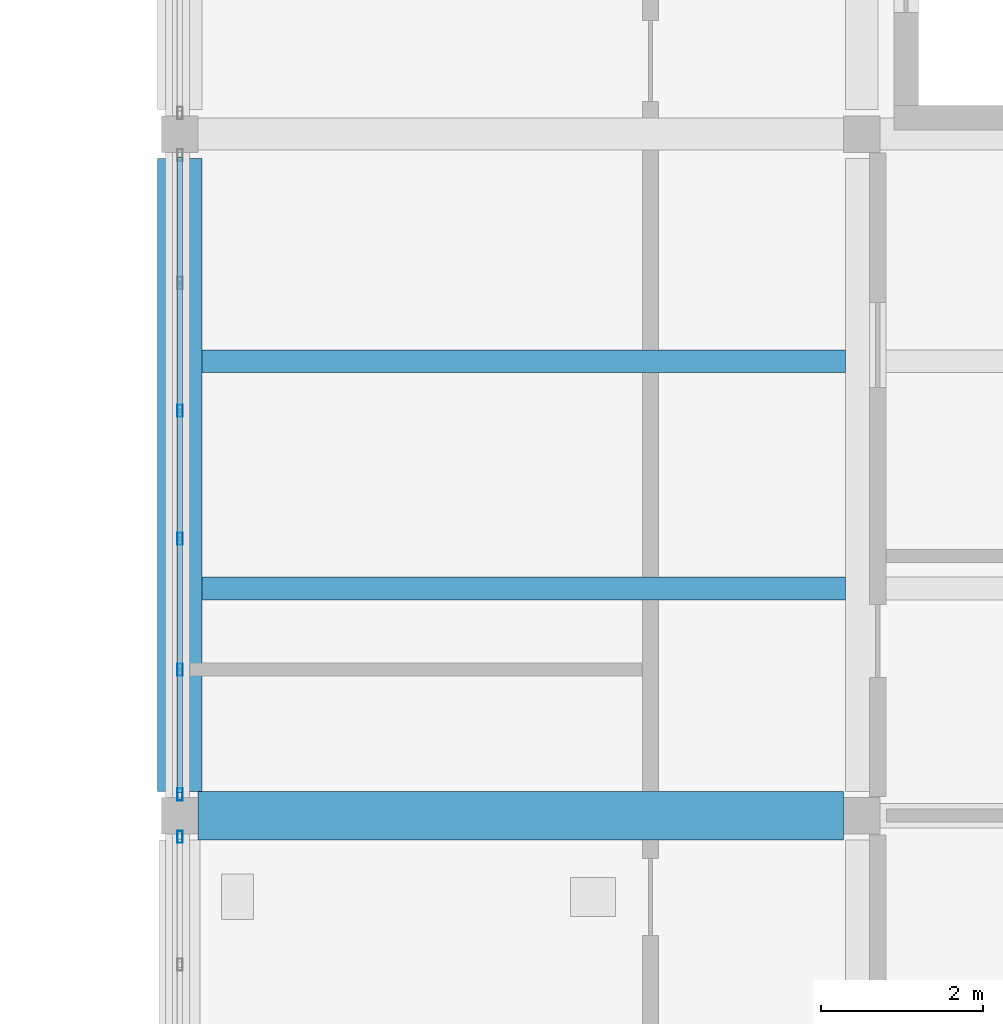
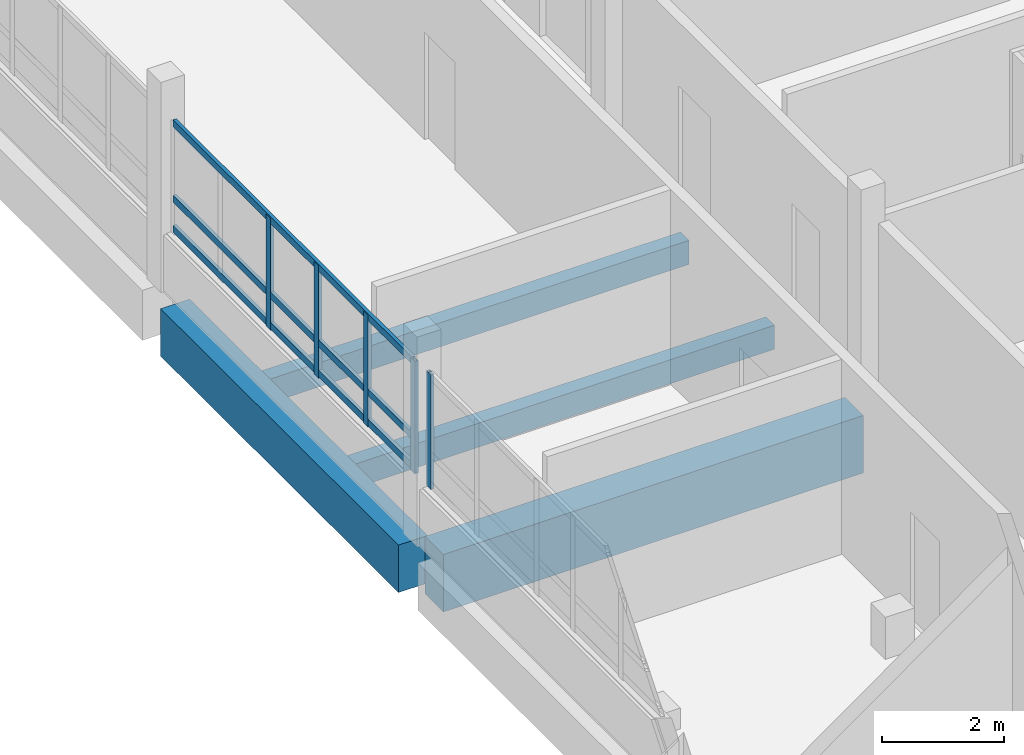
# One storey, part 22 of 62: 8 members, 4 beams, 2 elements without a shape of their own.
"""IFC4 building model written with IfcOpenShell, lengths in metres."""

from ifc_helpers import new_model, si_unit, direction, frame, origin, origin_2d, place, context, subcontext, project, spatial, rectangle, hollow_rectangle, extrude, material, layer, layer_set, material_profile, profile_set, type_object, element, aggregate, save


model = new_model("IFC4")

# Units and contexts
model_context = context("Model", 3, precision=1e-05, world=origin(), true_north=direction((0.0, 1.0)))
body_context = subcontext(model_context, "Body", "Model", "MODEL_VIEW")
ifc_project = project(units=[si_unit("LENGTHUNIT", "METRE"), si_unit("AREAUNIT", "SQUARE_METRE"), si_unit("VOLUMEUNIT", "CUBIC_METRE"), si_unit("PLANEANGLEUNIT", "RADIAN"), si_unit("MASSUNIT", "GRAM", prefix="KILO")], contexts=[model_context])

# Site, building, storey
site_placement = place(None, origin())
site = spatial("IfcSite", under=ifc_project, at=site_placement, CompositionType="ELEMENT")
building_placement = place(site_placement, origin())
building = spatial("IfcBuilding", under=site, at=building_placement, Name="Vireocrest Preparatory School", CompositionType="ELEMENT")
storey_placement = place(building_placement, frame((0.0, 0.0, 17.39990234375)))
storey = spatial("IfcBuildingStorey", under=building, at=storey_placement, Name="L04", CompositionType="ELEMENT", Elevation=17.39990234375)

# Curtain wall, member
ifc_material_1 = material(Name="Thermally broken aluminium EN AW-6063-T6", Category="aluminium")
ifc_layer = layer(ifc_material_1, 0.179931640625)
ifc_layer_set = layer_set([ifc_layer], Name="Thermally broken aluminium EN AW-6063-T6")
curtain_wall_type = type_object("IfcCurtainWallType", Name="Court Banded Curtain Wall 8400x3000", PredefinedType="USERDEFINED", material=ifc_layer_set)
curtain_wall_1_placement = place(storey_placement, origin())
curtain_wall_1 = element("IfcCurtainWall", 1, at=curtain_wall_1_placement, inside=storey, type_object=curtain_wall_type, Name="Curtain Wall CW02 CW_L04_CW02_0924_0608_186", ObjectType="CURTAIN WALL", PredefinedType="USERDEFINED")
ifc_material_profile_1 = material_profile(ifc_material_1, hollow_rectangle(XDim=0.06494140625, YDim=0.14990234375, WallThickness=0.00390625, at=origin_2d()), Name="ALU 65x150x4")
ifc_profile_set_1 = profile_set([ifc_material_profile_1], Name="Thermally broken aluminium EN AW-6063-T6")
member_type_1 = type_object("IfcMemberType", Name="CW Mullion 65x150x4", PredefinedType="MULLION", material=ifc_profile_set_1)
member_1_placement = place(storey_placement, frame((92.39990234375, 68.739990234375, 1.150146484375), z_axis=(0.0, 0.0, 1.0), x_axis=(1.0, 0.0, 0.0)))
member_1 = element("IfcMember", 2, at=member_1_placement, type_object=member_type_1, Name="CW Mullion ML1 CW_L04_CW02_0924_0608_186-6", PredefinedType="MULLION", context=body_context, shape_type="SweptSolid", body=[
    extrude(hollow_rectangle(XDim=0.06494140625, YDim=0.14990234375, WallThickness=0.00390625, at=origin_2d()), origin(), (0.0, 0.0, 1.0), 2.294921875),
])
aggregate(curtain_wall_1, [member_1])

# Curtain wall, members
curtain_wall_2_placement = place(storey_placement, origin())
curtain_wall_2 = element("IfcCurtainWall", 3, at=curtain_wall_2_placement, inside=storey, type_object=curtain_wall_type, Name="Curtain Wall CW02 CW_L04_CW02_0924_0692_186", ObjectType="CURTAIN WALL", PredefinedType="USERDEFINED")
member_2_placement = place(storey_placement, frame((92.39990234375, 69.260009765625, 1.150146484375), z_axis=(0.0, 0.0, 1.0), x_axis=(1.0, 0.0, 0.0)))
member_2 = element("IfcMember", 4, at=member_2_placement, type_object=member_type_1, Name="CW Mullion ML1 CW_L04_CW02_0924_0692_186-1", PredefinedType="MULLION", context=body_context, shape_type="SweptSolid", body=[
    extrude(hollow_rectangle(XDim=0.06494140625, YDim=0.14990234375, WallThickness=0.00390625, at=origin_2d()), origin(), (0.0, 0.0, 1.0), 2.244873046875),
])
member_3_placement = place(storey_placement, frame((92.39990234375, 70.800048828125, 1.150146484375), z_axis=(0.0, 0.0, 1.0), x_axis=(1.0, 0.0, 0.0)))
member_3 = element("IfcMember", 5, at=member_3_placement, type_object=member_type_1, Name="CW Mullion ML1 CW_L04_CW02_0924_0692_186-2", PredefinedType="MULLION", context=body_context, shape_type="SweptSolid", body=[
    extrude(hollow_rectangle(XDim=0.06494140625, YDim=0.14990234375, WallThickness=0.00390625, at=origin_2d()), origin(), (0.0, 0.0, 1.0), 2.244873046875),
])
member_4_placement = place(storey_placement, frame((92.39990234375, 72.412109375, 1.150146484375), z_axis=(0.0, 0.0, 1.0), x_axis=(1.0, 0.0, 0.0)))
member_4 = element("IfcMember", 6, at=member_4_placement, type_object=member_type_1, Name="CW Mullion ML1 CW_L04_CW02_0924_0692_186-3", PredefinedType="MULLION", context=body_context, shape_type="SweptSolid", body=[
    extrude(hollow_rectangle(XDim=0.06494140625, YDim=0.14990234375, WallThickness=0.00390625, at=origin_2d()), origin(), (0.0, 0.0, 1.0), 2.244873046875),
])
member_5_placement = place(storey_placement, frame((92.39990234375, 73.988037109375, 1.150146484375), z_axis=(0.0, 0.0, 1.0), x_axis=(1.0, 0.0, 0.0)))
member_5 = element("IfcMember", 7, at=member_5_placement, type_object=member_type_1, Name="CW Mullion ML1 CW_L04_CW02_0924_0692_186-4", PredefinedType="MULLION", context=body_context, shape_type="SweptSolid", body=[
    extrude(hollow_rectangle(XDim=0.06494140625, YDim=0.14990234375, WallThickness=0.00390625, at=origin_2d()), origin(), (0.0, 0.0, 1.0), 2.244873046875),
])
ifc_material_profile_2 = material_profile(ifc_material_1, hollow_rectangle(XDim=0.06494140625, YDim=0.139892578125, WallThickness=0.00390625, at=origin_2d()), Name="ALU 65x140x4")
ifc_profile_set_2 = profile_set([ifc_material_profile_2], Name="Thermally broken aluminium EN AW-6063-T6")
member_type_2 = type_object("IfcMemberType", Name="CW Transom 65x140x4", PredefinedType="USERDEFINED", material=ifc_profile_set_2)
member_6_placement = place(storey_placement, frame((92.39990234375, 69.284912109375, 1.2451171875), z_axis=(0.0, 1.0, 0.0), x_axis=(-1.0, 0.0, 0.0)))
member_6 = element("IfcMember", 8, at=member_6_placement, type_object=member_type_2, Name="CW Transom TR1 CW_L04_CW02_0924_0692_186-1", ObjectType="TRANSOM", PredefinedType="USERDEFINED", context=body_context, shape_type="SweptSolid", body=[
    extrude(hollow_rectangle(XDim=0.06494140625, YDim=0.139892578125, WallThickness=0.00390625, at=origin_2d()), origin(), (0.0, 0.0, 1.0), 7.830078125),
])
member_7_placement = place(storey_placement, frame((92.39990234375, 69.284912109375, 1.85009765625), z_axis=(0.0, 1.0, 0.0), x_axis=(-1.0, 0.0, 0.0)))
member_7 = element("IfcMember", 9, at=member_7_placement, type_object=member_type_2, Name="CW Transom TR1 CW_L04_CW02_0924_0692_186-2", ObjectType="TRANSOM", PredefinedType="USERDEFINED", context=body_context, shape_type="SweptSolid", body=[
    extrude(hollow_rectangle(XDim=0.06494140625, YDim=0.139892578125, WallThickness=0.00390625, at=origin_2d()), origin(), (0.0, 0.0, 1.0), 7.830078125),
])
member_8_placement = place(storey_placement, frame((92.39990234375, 69.284912109375, 3.35498046875), z_axis=(0.0, 1.0, 0.0), x_axis=(-1.0, 0.0, 0.0)))
member_8 = element("IfcMember", 10, at=member_8_placement, type_object=member_type_2, Name="CW Transom TR1 CW_L04_CW02_0924_0692_186-3", ObjectType="TRANSOM", PredefinedType="USERDEFINED", context=body_context, shape_type="SweptSolid", body=[
    extrude(hollow_rectangle(XDim=0.06494140625, YDim=0.139892578125, WallThickness=0.00390625, at=origin_2d()), origin(), (0.0, 0.0, 1.0), 7.830078125),
])
aggregate(curtain_wall_2, [member_2, member_3, member_4, member_5, member_6, member_7, member_8])

# Beams
ifc_material_2 = material(Name="Concrete 40 MPa", Category="concrete")
ifc_material_profile_3 = material_profile(ifc_material_2, rectangle(XDim=0.60009765625, YDim=1.14990234375, at=origin_2d()), Name="RC 600x1150")
ifc_profile_set_3 = profile_set([ifc_material_profile_3], Name="Concrete 40 MPa")
beam_type_1 = type_object("IfcBeamType", Name="RC Heavy Transfer Girder 600x1150", PredefinedType="BEAM", material=ifc_profile_set_3)
beam_1_placement = place(storey_placement, frame((92.625, 69.0, -0.8349609375), z_axis=(1.0, 0.0, 0.0), x_axis=(0.0, 1.0, 0.0)))
element("IfcBeam", 11, at=beam_1_placement, inside=storey, type_object=beam_type_1, Name="Primary Girder B20 L04-1314", PredefinedType="BEAM", context=body_context, shape_type="SweptSolid", body=[
    extrude(rectangle(XDim=0.60009765625, YDim=1.14990234375, at=origin_2d()), origin(), (0.0, 0.0, 1.0), 7.949951171875),
])
ifc_material_profile_4 = material_profile(ifc_material_2, rectangle(XDim=0.280029296875, YDim=0.47998046875, at=origin_2d()), Name="RC 280x480")
ifc_profile_set_4 = profile_set([ifc_material_profile_4], Name="Concrete 40 MPa")
beam_type_2 = type_object("IfcBeamType", Name="RC Secondary Lab Joist 280x480", PredefinedType="JOIST", material=ifc_profile_set_4)
for number, where, z_axis, x_axis, name in (
    (12, (92.675048828125, 71.800048828125, -0.5), (1.0, 0.0, 0.0), (0.0, 1.0, 0.0), "Secondary Joist J02 L04-1489"),
    (13, (92.675048828125, 74.60009765625, -0.5), (1.0, 0.0, 0.0), (0.0, 1.0, 0.0), "Secondary Joist J02 L04-1490"),
):
    element("IfcBeam", number, at=place(storey_placement, frame(where, z_axis=z_axis, x_axis=x_axis)), inside=storey, type_object=beam_type_2, Name=name, PredefinedType="JOIST", context=body_context, shape_type="SweptSolid", body=[
        extrude(rectangle(XDim=0.280029296875, YDim=0.47998046875, at=origin_2d()), origin(), (0.0, 0.0, 1.0), 7.925048828125),
    ])
ifc_material_profile_5 = material_profile(ifc_material_2, rectangle(XDim=0.550048828125, YDim=0.949951171875, at=origin_2d()), Name="RC 550x950")
ifc_profile_set_5 = profile_set([ifc_material_profile_5], Name="Concrete 40 MPa")
beam_type_3 = type_object("IfcBeamType", Name="RC Setback Edge Girder 550x950", PredefinedType="BEAM", material=ifc_profile_set_5)
beam_2_placement = place(storey_placement, frame((92.39990234375, 69.300048828125, -0.73486328125), z_axis=(0.0, 1.0, 0.0), x_axis=(-1.0, 0.0, 0.0)))
element("IfcBeam", 14, at=beam_2_placement, inside=storey, type_object=beam_type_3, Name="Primary Girder B17 L04-1396", PredefinedType="BEAM", context=body_context, shape_type="SweptSolid", body=[
    extrude(rectangle(XDim=0.550048828125, YDim=0.949951171875, at=origin_2d()), origin(), (0.0, 0.0, 1.0), 7.800048828125),
])

save(model, "model.ifc")
